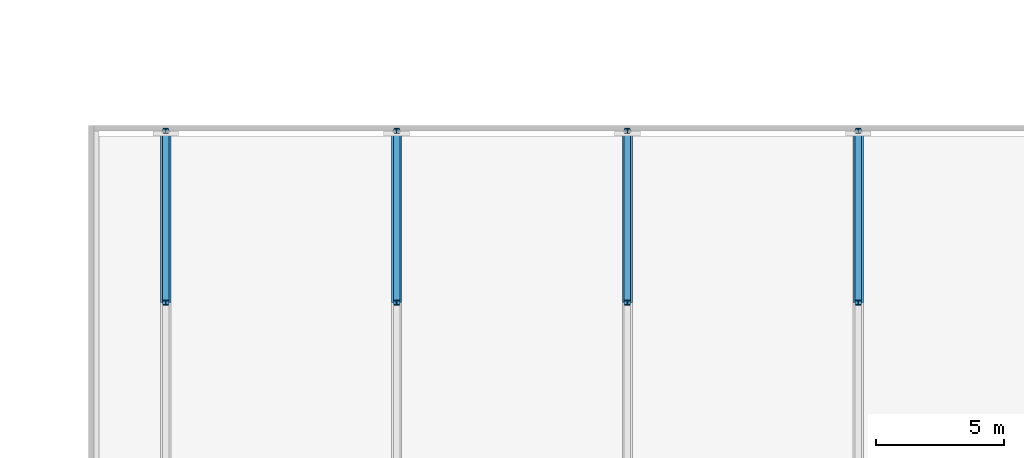
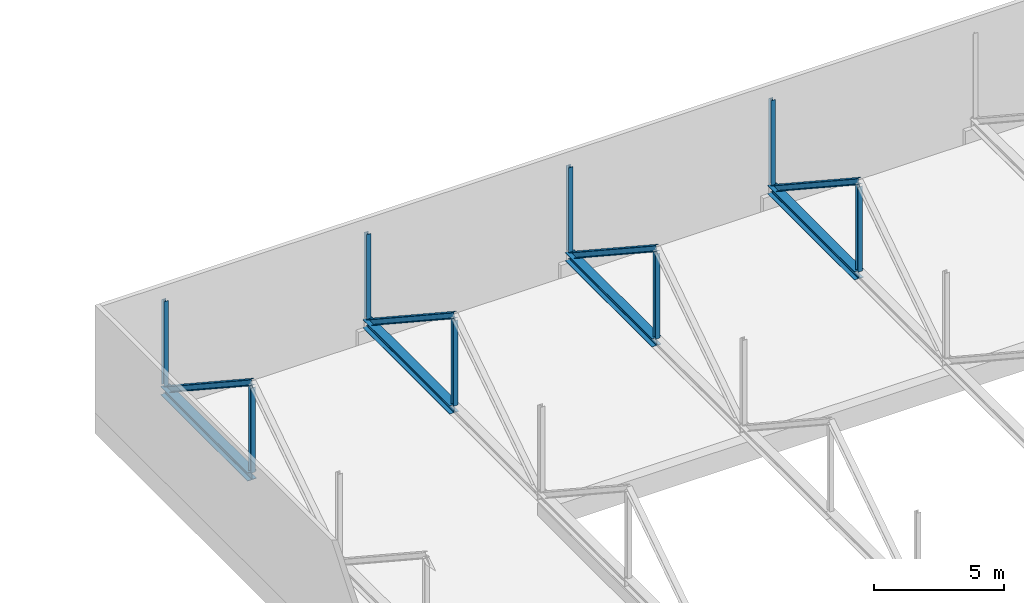
# One storey, part 17 of 49: 16 members.
"""IFC4 building model written with IfcOpenShell, lengths in metres."""

from ifc_helpers import new_model, si_unit, direction, frame, origin, origin_2d, place, context, subcontext, project, spatial, i_section, extrude, material, material_profile, profile_set, type_object, element, save


model = new_model("IFC4")

# Units and contexts
model_context = context("Model", 3, precision=1e-05, world=origin(), true_north=direction((0.0, 1.0)))
body_context = subcontext(model_context, "Body", "Model", "MODEL_VIEW")
ifc_project = project(units=[si_unit("LENGTHUNIT", "METRE"), si_unit("AREAUNIT", "SQUARE_METRE"), si_unit("VOLUMEUNIT", "CUBIC_METRE"), si_unit("PLANEANGLEUNIT", "RADIAN"), si_unit("MASSUNIT", "GRAM", prefix="KILO")], contexts=[model_context])

# Site, building, storey
site_placement = place(None, origin())
site = spatial("IfcSite", under=ifc_project, at=site_placement, CompositionType="ELEMENT")
building_placement = place(site_placement, origin())
building = spatial("IfcBuilding", under=site, at=building_placement, Name="Hunhe Ridgeline Campus", CompositionType="ELEMENT")
storey_placement = place(building_placement, frame((0.0, 0.0, 21.60009765625)))
storey = spatial("IfcBuildingStorey", under=building, at=storey_placement, Name="L04", CompositionType="ELEMENT", Elevation=21.60009765625)

# Members
ifc_material = material(Name="Steel Q355", Category="steel")
ifc_material_profile_1 = material_profile(ifc_material, i_section(OverallWidth=0.39990234375, OverallDepth=0.39990234375, WebThickness=0.012939453125, FlangeThickness=0.02099609375, FilletRadius=0.02197265625, at=origin_2d()))
ifc_profile_set_1 = profile_set([ifc_material_profile_1], Name="Steel Q355")
member_type_1 = type_object("IfcMemberType", Name="Roof truss chord HW400x400x13x21 Q355", PredefinedType="CHORD", material=ifc_profile_set_1)
for number, where, z_axis, x_axis, name in (
    (1, (153.0, 69.60009765625, 0.789794921875), (0.0, 1.0, 0.0), (-1.0, 0.0, 0.0), "Roof truss 1 bottom chord 8"),
    (2, (162.0, 69.60009765625, 0.789794921875), (0.0, 1.0, 0.0), (-1.0, 0.0, 0.0), "Roof truss 2 bottom chord 8"),
    (3, (171.0, 69.60009765625, 0.789794921875), (0.0, 1.0, 0.0), (-1.0, 0.0, 0.0), "Roof truss 3 bottom chord 8"),
    (4, (180.0, 69.60009765625, 0.789794921875), (0.0, 1.0, 0.0), (-1.0, 0.0, 0.0), "Roof truss 4 bottom chord 8"),
):
    element("IfcMember", number, at=place(storey_placement, frame(where, z_axis=z_axis, x_axis=x_axis)), inside=storey, type_object=member_type_1, Name=name, PredefinedType="CHORD", context=body_context, shape_type="SweptSolid", body=[
        extrude(i_section(OverallWidth=0.39990234375, OverallDepth=0.39990234375, WebThickness=0.012939453125, FlangeThickness=0.02099609375, FilletRadius=0.02197265625, at=origin_2d()), origin(), (0.0, 0.0, 1.0), 6.699951171875),
    ])
ifc_material_profile_2 = material_profile(ifc_material, i_section(OverallWidth=0.25, OverallDepth=0.25, WebThickness=0.009033203125, FlangeThickness=0.013916015625, FilletRadius=0.012939453125, at=origin_2d()))
ifc_profile_set_2 = profile_set([ifc_material_profile_2], Name="Steel Q355")
member_type_2 = type_object("IfcMemberType", Name="Roof truss diagonal HW250x250x9x14 Q355", PredefinedType="BRACE", material=ifc_profile_set_2)
for number, where, z_axis, x_axis, name in (
    (5, (153.0, 69.60009765625, 5.18994140625), (0.0, 0.835858813721, -0.548944481277), (-1.0, 0.0, 0.0), "Roof truss 1 diagonal 8"),
    (6, (162.0, 69.60009765625, 5.18994140625), (0.0, 0.835858813721, -0.548944481277), (-1.0, 0.0, 0.0), "Roof truss 2 diagonal 8"),
    (7, (171.0, 69.60009765625, 5.18994140625), (0.0, 0.835858813721, -0.548944481277), (-1.0, 0.0, 0.0), "Roof truss 3 diagonal 8"),
    (8, (180.0, 69.60009765625, 5.18994140625), (0.0, 0.835858813721, -0.548944481277), (-1.0, 0.0, 0.0), "Roof truss 4 diagonal 8"),
):
    element("IfcMember", number, at=place(storey_placement, frame(where, z_axis=z_axis, x_axis=x_axis)), inside=storey, type_object=member_type_2, Name=name, PredefinedType="BRACE", context=body_context, shape_type="SweptSolid", body=[
        extrude(i_section(OverallWidth=0.25, OverallDepth=0.25, WebThickness=0.009033203125, FlangeThickness=0.013916015625, FilletRadius=0.012939453125, at=origin_2d()), origin(), (0.0, 0.0, 1.0), 8.015625),
    ])
ifc_material_profile_3 = material_profile(ifc_material, i_section(OverallWidth=0.199951171875, OverallDepth=0.199951171875, WebThickness=0.008056640625, FlangeThickness=0.011962890625, FilletRadius=0.012939453125, at=origin_2d()))
ifc_profile_set_3 = profile_set([ifc_material_profile_3], Name="Steel Q355")
member_type_3 = type_object("IfcMemberType", Name="Roof truss post HW200x200x8x12 Q355", PredefinedType="POST", material=ifc_profile_set_3)
for number, where, z_axis, x_axis, name in (
    (9, (153.0, 69.60009765625, 0.989990234375), (0.0, 0.0, 1.0), (1.0, 0.0, 0.0), "Roof truss 1 post 7"),
    (10, (153.0, 76.300048828125, 0.989990234375), (0.0, 0.0, 1.0), (1.0, 0.0, 0.0), "Roof truss 1 post 8"),
    (11, (162.0, 69.60009765625, 0.989990234375), (0.0, 0.0, 1.0), (1.0, 0.0, 0.0), "Roof truss 2 post 7"),
    (12, (162.0, 76.300048828125, 0.989990234375), (0.0, 0.0, 1.0), (1.0, 0.0, 0.0), "Roof truss 2 post 8"),
    (13, (171.0, 69.60009765625, 0.989990234375), (0.0, 0.0, 1.0), (1.0, 0.0, 0.0), "Roof truss 3 post 7"),
    (14, (171.0, 76.300048828125, 0.989990234375), (0.0, 0.0, 1.0), (1.0, 0.0, 0.0), "Roof truss 3 post 8"),
    (15, (180.0, 69.60009765625, 0.989990234375), (0.0, 0.0, 1.0), (1.0, 0.0, 0.0), "Roof truss 4 post 7"),
    (16, (180.0, 76.300048828125, 0.989990234375), (0.0, 0.0, 1.0), (1.0, 0.0, 0.0), "Roof truss 4 post 8"),
):
    element("IfcMember", number, at=place(storey_placement, frame(where, z_axis=z_axis, x_axis=x_axis)), inside=storey, type_object=member_type_3, Name=name, PredefinedType="POST", context=body_context, shape_type="SweptSolid", body=[
        extrude(i_section(OverallWidth=0.199951171875, OverallDepth=0.199951171875, WebThickness=0.008056640625, FlangeThickness=0.011962890625, FilletRadius=0.012939453125, at=origin_2d()), origin(), (0.0, 0.0, 1.0), 4.0),
    ])

save(model, "model.ifc")
